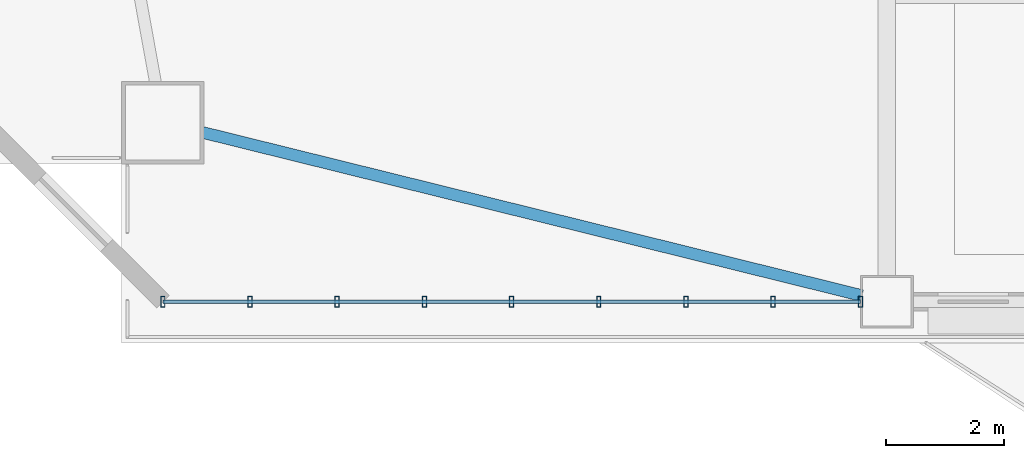
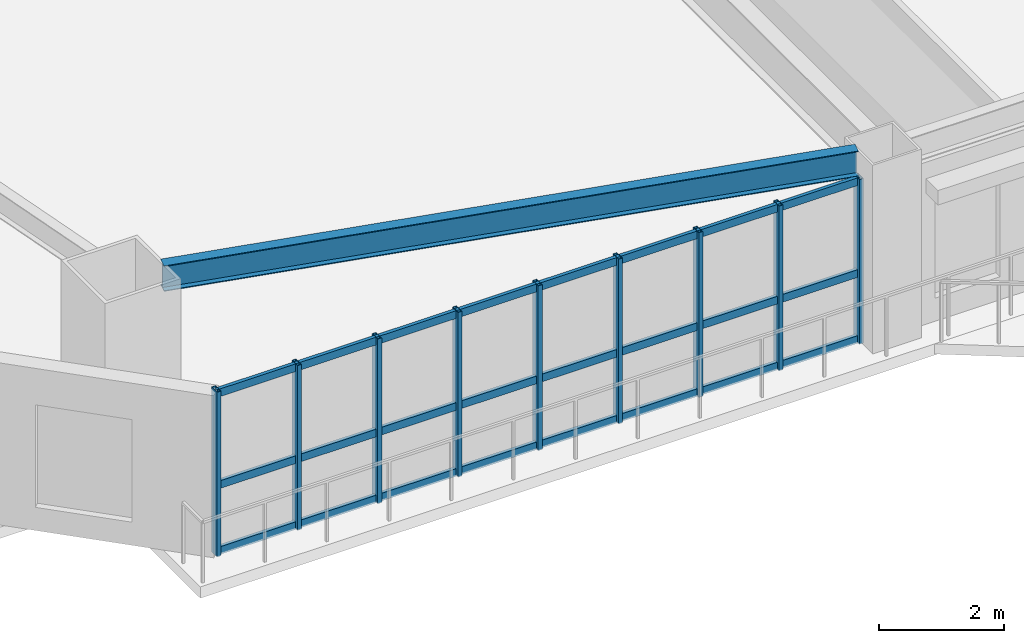
# One storey, part 2 of 15: 12 members, 1 beam, 1 element without a shape of its own.
"""IFC4 building model written with IfcOpenShell, lengths in metres."""

from ifc_helpers import new_model, si_unit, direction, frame, origin, origin_2d, place, context, subcontext, project, spatial, hollow_rectangle, i_section, extrude, source, transform, mapped, material, layer, layer_set, material_profile, profile_set, type_object, element, aggregate, save


model = new_model("IFC4")

# Units and contexts
model_context = context("Model", 3, precision=1e-05, world=origin(), true_north=direction((0.0, 1.0)))
body_context = subcontext(model_context, "Body", "Model", "MODEL_VIEW")
ifc_project = project(units=[si_unit("LENGTHUNIT", "METRE"), si_unit("AREAUNIT", "SQUARE_METRE"), si_unit("VOLUMEUNIT", "CUBIC_METRE"), si_unit("PLANEANGLEUNIT", "RADIAN"), si_unit("MASSUNIT", "GRAM", prefix="KILO")], contexts=[model_context])

# Site, building, storey
site_placement = place(None, origin())
site = spatial("IfcSite", under=ifc_project, at=site_placement, CompositionType="ELEMENT")
building_placement = place(site_placement, origin())
building = spatial("IfcBuilding", under=site, at=building_placement, Name="Giltprow Tower", CompositionType="ELEMENT")
storey_placement = place(building_placement, frame((0.0, 0.0, 99.699951171875)))
storey = spatial("IfcBuildingStorey", under=building, at=storey_placement, Name="L24", CompositionType="ELEMENT", Elevation=99.699951171875)

# Beam
ifc_material_1 = material(Name="Structural steel Q355B", Category="steel")
ifc_material_profile_1 = material_profile(ifc_material_1, i_section(OverallWidth=0.199951171875, OverallDepth=0.5, WebThickness=0.010009765625, FlangeThickness=0.01611328125, at=origin_2d()), Name="HN 500x200x10x16")
ifc_profile_set_1 = profile_set([ifc_material_profile_1], Name="Structural steel Q355B")
beam_type = type_object("IfcBeamType", Name="BM-SPAN-HN500", PredefinedType="SPANDREL", material=ifc_profile_set_1)
shared_shape_1 = source(origin(), body_context, "Body", "SweptSolid", [
    extrude(i_section(OverallWidth=0.199951171875, OverallDepth=0.5, WebThickness=0.010009765625, FlangeThickness=0.01611328125, at=origin_2d()), origin(), (0.0, 0.0, 1.0), 11.548095703125),
])
beam_placement = place(storey_placement, frame((8.218017578125, 9.340087890625, 3.429931640625), z_axis=(0.970716783344, -0.240226823093, 0.0), x_axis=(0.240226823093, 0.970716783344, 0.0)))
element("IfcBeam", 1, at=beam_placement, inside=storey, type_object=beam_type, Name="L24 Perimeter Spandrel Beam MC_SW-S1", PredefinedType="SPANDREL", context=body_context, shape_type="MappedRepresentation", body=[
    mapped(shared_shape_1, transform((0.0, 0.0, 0.0), x_axis=(1.0, 0.0, 0.0), y_axis=(0.0, 1.0, 0.0), z_axis=(0.0, 0.0, 1.0), scale=1.0)),
])

# Curtain wall, members
ifc_material_2 = material(Name="Anodized bronze", Category="metal")
ifc_layer = layer(ifc_material_2, 0.179931640625, Name="Anodized bronze")
ifc_layer_set = layer_set([ifc_layer], Name="Anodized bronze")
curtain_wall_type = type_object("IfcCurtainWallType", Name="CW-OFF-RECESSED", PredefinedType="NOTDEFINED", material=ifc_layer_set)
curtain_wall_placement = place(storey_placement, origin())
curtain_wall = element("IfcCurtainWall", 2, at=curtain_wall_placement, inside=storey, type_object=curtain_wall_type, Name="L24 South Recessed Curtain Wall 1", PredefinedType="NOTDEFINED")
ifc_material_profile_2 = material_profile(ifc_material_2, hollow_rectangle(XDim=0.074951171875, YDim=0.179931640625, WallThickness=0.008056640625, at=origin_2d()), Name="RHS 180x75x8")
ifc_profile_set_2 = profile_set([ifc_material_profile_2], Name="Anodized bronze")
member_type_1 = type_object("IfcMemberType", Name="CW-MULLION-180x75", PredefinedType="MULLION", material=ifc_profile_set_2)
shared_shape_2 = source(origin(), body_context, "Body", "SweptSolid", [
    extrude(hollow_rectangle(XDim=0.074951171875, YDim=0.179931640625, WallThickness=0.008056640625, at=origin_2d()), origin(), (0.0, 0.0, 1.0), 3.215087890625),
])
member_1_placement = place(storey_placement, frame((7.552978515625, 6.4619140625, -0.02001953125), z_axis=(0.0, 0.0, 1.0), x_axis=(1.0, 0.0, 0.0)))
member_1 = element("IfcMember", 3, at=member_1_placement, type_object=member_type_1, Name="L24 South Recessed Curtain Wall 1 Mullion 1", PredefinedType="MULLION", context=body_context, shape_type="MappedRepresentation", body=[
    mapped(shared_shape_2, transform((0.0, 0.0, 0.0), x_axis=(1.0, 0.0, 0.0), y_axis=(0.0, 1.0, 0.0), z_axis=(0.0, 0.0, 1.0), scale=1.0)),
])
member_2_placement = place(storey_placement, frame((9.033935546875, 6.4619140625, -0.02001953125), z_axis=(0.0, 0.0, 1.0), x_axis=(1.0, 0.0, 0.0)))
member_2 = element("IfcMember", 4, at=member_2_placement, type_object=member_type_1, Name="L24 South Recessed Curtain Wall 1 Mullion 2", PredefinedType="MULLION", context=body_context, shape_type="MappedRepresentation", body=[
    mapped(shared_shape_2, transform((0.0, 0.0, 0.0), x_axis=(1.0, 0.0, 0.0), y_axis=(0.0, 1.0, 0.0), z_axis=(0.0, 0.0, 1.0), scale=1.0)),
])
member_3_placement = place(storey_placement, frame((10.514892578125, 6.4619140625, -0.02001953125), z_axis=(0.0, 0.0, 1.0), x_axis=(1.0, 0.0, 0.0)))
member_3 = element("IfcMember", 5, at=member_3_placement, type_object=member_type_1, Name="L24 South Recessed Curtain Wall 1 Mullion 3", PredefinedType="MULLION", context=body_context, shape_type="MappedRepresentation", body=[
    mapped(shared_shape_2, transform((0.0, 0.0, 0.0), x_axis=(1.0, 0.0, 0.0), y_axis=(0.0, 1.0, 0.0), z_axis=(0.0, 0.0, 1.0), scale=1.0)),
])
member_4_placement = place(storey_placement, frame((11.99609375, 6.4619140625, -0.02001953125), z_axis=(0.0, 0.0, 1.0), x_axis=(1.0, 0.0, 0.0)))
member_4 = element("IfcMember", 6, at=member_4_placement, type_object=member_type_1, Name="L24 South Recessed Curtain Wall 1 Mullion 4", PredefinedType="MULLION", context=body_context, shape_type="MappedRepresentation", body=[
    mapped(shared_shape_2, transform((0.0, 0.0, 0.0), x_axis=(1.0, 0.0, 0.0), y_axis=(0.0, 1.0, 0.0), z_axis=(0.0, 0.0, 1.0), scale=1.0)),
])
member_5_placement = place(storey_placement, frame((13.47607421875, 6.4619140625, -0.02001953125), z_axis=(0.0, 0.0, 1.0), x_axis=(1.0, 0.0, 0.0)))
member_5 = element("IfcMember", 7, at=member_5_placement, type_object=member_type_1, Name="L24 South Recessed Curtain Wall 1 Mullion 5", PredefinedType="MULLION", context=body_context, shape_type="MappedRepresentation", body=[
    mapped(shared_shape_2, transform((0.0, 0.0, 0.0), x_axis=(1.0, 0.0, 0.0), y_axis=(0.0, 1.0, 0.0), z_axis=(0.0, 0.0, 1.0), scale=1.0)),
])
member_6_placement = place(storey_placement, frame((14.95703125, 6.4619140625, -0.02001953125), z_axis=(0.0, 0.0, 1.0), x_axis=(1.0, 0.0, 0.0)))
member_6 = element("IfcMember", 8, at=member_6_placement, type_object=member_type_1, Name="L24 South Recessed Curtain Wall 1 Mullion 6", PredefinedType="MULLION", context=body_context, shape_type="MappedRepresentation", body=[
    mapped(shared_shape_2, transform((0.0, 0.0, 0.0), x_axis=(1.0, 0.0, 0.0), y_axis=(0.0, 1.0, 0.0), z_axis=(0.0, 0.0, 1.0), scale=1.0)),
])
member_7_placement = place(storey_placement, frame((16.43798828125, 6.4619140625, -0.02001953125), z_axis=(0.0, 0.0, 1.0), x_axis=(1.0, 0.0, 0.0)))
member_7 = element("IfcMember", 9, at=member_7_placement, type_object=member_type_1, Name="L24 South Recessed Curtain Wall 1 Mullion 7", PredefinedType="MULLION", context=body_context, shape_type="MappedRepresentation", body=[
    mapped(shared_shape_2, transform((0.0, 0.0, 0.0), x_axis=(1.0, 0.0, 0.0), y_axis=(0.0, 1.0, 0.0), z_axis=(0.0, 0.0, 1.0), scale=1.0)),
])
member_8_placement = place(storey_placement, frame((17.9189453125, 6.4619140625, -0.02001953125), z_axis=(0.0, 0.0, 1.0), x_axis=(1.0, 0.0, 0.0)))
member_8 = element("IfcMember", 10, at=member_8_placement, type_object=member_type_1, Name="L24 South Recessed Curtain Wall 1 Mullion 8", PredefinedType="MULLION", context=body_context, shape_type="MappedRepresentation", body=[
    mapped(shared_shape_2, transform((0.0, 0.0, 0.0), x_axis=(1.0, 0.0, 0.0), y_axis=(0.0, 1.0, 0.0), z_axis=(0.0, 0.0, 1.0), scale=1.0)),
])
member_9_placement = place(storey_placement, frame((19.39990234375, 6.4619140625, -0.02001953125), z_axis=(0.0, 0.0, 1.0), x_axis=(1.0, 0.0, 0.0)))
member_9 = element("IfcMember", 11, at=member_9_placement, type_object=member_type_1, Name="L24 South Recessed Curtain Wall 1 Mullion 9", PredefinedType="MULLION", context=body_context, shape_type="MappedRepresentation", body=[
    mapped(shared_shape_2, transform((0.0, 0.0, 0.0), x_axis=(1.0, 0.0, 0.0), y_axis=(0.0, 1.0, 0.0), z_axis=(0.0, 0.0, 1.0), scale=1.0)),
])
ifc_material_profile_3 = material_profile(ifc_material_2, hollow_rectangle(XDim=0.06494140625, YDim=0.14990234375, WallThickness=0.006103515625, at=origin_2d()), Name="RHS 150x65x6")
ifc_profile_set_3 = profile_set([ifc_material_profile_3], Name="Anodized bronze")
member_type_2 = type_object("IfcMemberType", Name="CW-TRANSOM-150x65", PredefinedType="USERDEFINED", material=ifc_profile_set_3)
shared_shape_3 = source(origin(), body_context, "Body", "SweptSolid", [
    extrude(hollow_rectangle(XDim=0.06494140625, YDim=0.14990234375, WallThickness=0.006103515625, at=origin_2d()), origin(), (0.0, 0.0, 1.0), 11.846923828125),
])
member_10_placement = place(storey_placement, frame((7.552978515625, 6.4619140625, 0.0400390625), z_axis=(1.0, 0.0, 0.0), x_axis=(0.0, 1.0, 0.0)))
member_10 = element("IfcMember", 12, at=member_10_placement, type_object=member_type_2, Name="L24 South Recessed Curtain Wall 1 Transom 1", ObjectType="TRANSOM", PredefinedType="USERDEFINED", context=body_context, shape_type="MappedRepresentation", body=[
    mapped(shared_shape_3, transform((0.0, 0.0, 0.0), x_axis=(1.0, 0.0, 0.0), y_axis=(0.0, 1.0, 0.0), z_axis=(0.0, 0.0, 1.0), scale=1.0)),
])
member_11_placement = place(storey_placement, frame((7.552978515625, 6.4619140625, 1.3271484375), z_axis=(1.0, 0.0, 0.0), x_axis=(0.0, 1.0, 0.0)))
member_11 = element("IfcMember", 13, at=member_11_placement, type_object=member_type_2, Name="L24 South Recessed Curtain Wall 1 Transom 2", ObjectType="TRANSOM", PredefinedType="USERDEFINED", context=body_context, shape_type="MappedRepresentation", body=[
    mapped(shared_shape_3, transform((0.0, 0.0, 0.0), x_axis=(1.0, 0.0, 0.0), y_axis=(0.0, 1.0, 0.0), z_axis=(0.0, 0.0, 1.0), scale=1.0)),
])
member_12_placement = place(storey_placement, frame((7.552978515625, 6.4619140625, 3.1201171875), z_axis=(1.0, 0.0, 0.0), x_axis=(0.0, 1.0, 0.0)))
member_12 = element("IfcMember", 14, at=member_12_placement, type_object=member_type_2, Name="L24 South Recessed Curtain Wall 1 Transom 3", ObjectType="TRANSOM", PredefinedType="USERDEFINED", context=body_context, shape_type="MappedRepresentation", body=[
    mapped(shared_shape_3, transform((0.0, 0.0, 0.0), x_axis=(1.0, 0.0, 0.0), y_axis=(0.0, 1.0, 0.0), z_axis=(0.0, 0.0, 1.0), scale=1.0)),
])
aggregate(curtain_wall, [member_1, member_2, member_3, member_4, member_5, member_6, member_7, member_8, member_9, member_10, member_11, member_12])

save(model, "model.ifc")
